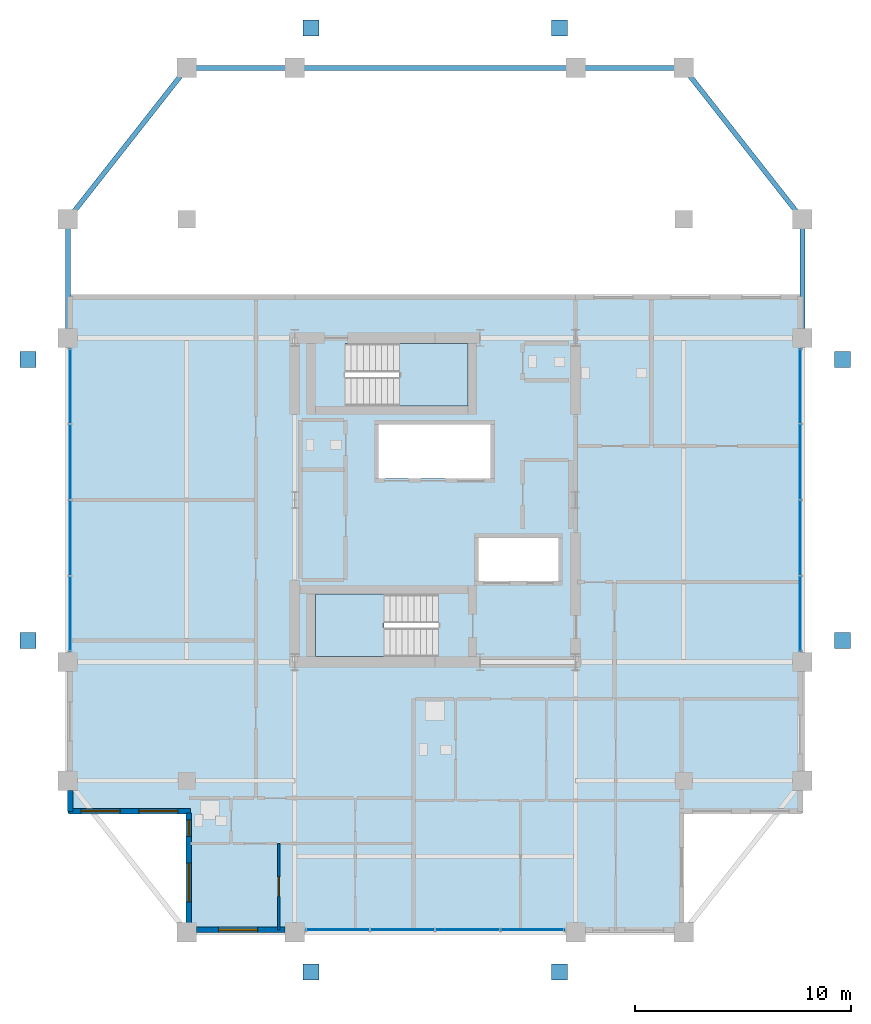
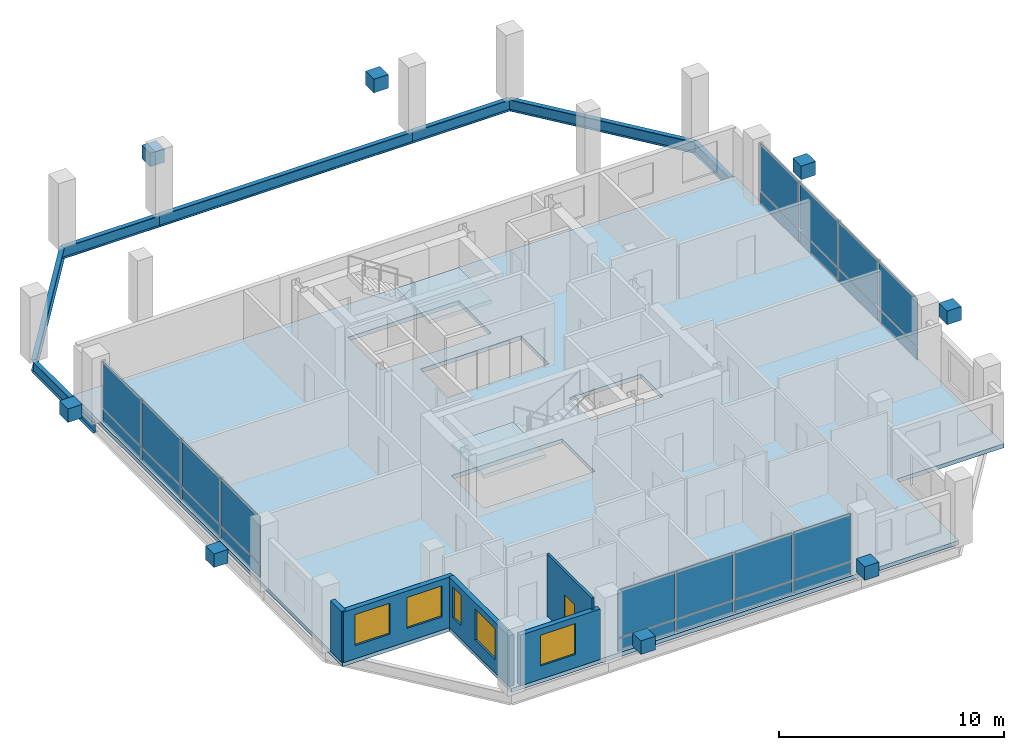
# One storey, part 11 of 16: 32 plates, 7 beams, 5 walls, 5 windows, 3 slabs, 1 door, 6 openings, 5 elements without a shape of their own.
"""IFC4 building model written with IfcOpenShell, lengths in metres."""

import ifcopenshell
import ifcopenshell.guid

model = None  # the IFC model being written
_history = None  # IfcOwnerHistory: only IFC2X3 demands one
_inside = {}  # id of a spatial element -> (the spatial element, [elements in it])
_under = {}  # id of a project, library or spatial element -> (it, [spatial elements below it])
_declared = {}  # id of a project -> (the project, [libraries it declares])
_typed = {}  # id of a type object -> (the type object, [elements of that type])
_made_of = {}  # id of a material, layer set ... -> (it, [elements and type objects made of it])


def new_model(schema):
    """Start an empty IFC model of exactly this schema.

    Asked for "IFC4X3", IfcOpenShell would pick the latest addendum, in which some entities
    have other attributes; the version numbers below select the first issue.
    IFC2X3 requires an IfcOwnerHistory on every rooted entity: one is made here for all.
    """
    global model, _history
    if schema == "IFC4X3":
        model = ifcopenshell.file(schema_version=(4, 3, 0, 0))
    else:
        model = ifcopenshell.file(schema=schema)
    _inside.clear()
    _under.clear()
    _declared.clear()
    _typed.clear()
    _made_of.clear()
    _history = None
    if model.schema == "IFC2X3":
        org = make("IfcOrganization", Name="unknown")
        user = make(
            "IfcPersonAndOrganization",
            ThePerson=make("IfcPerson", FamilyName="unknown"),
            TheOrganization=org,
        )
        app = make(
            "IfcApplication",
            ApplicationDeveloper=org,
            Version="unknown",
            ApplicationFullName="unknown",
            ApplicationIdentifier="unknown",
        )
        _history = make(
            "IfcOwnerHistory",
            OwningUser=user,
            OwningApplication=app,
            ChangeAction="ADDED",
            CreationDate=0,
        )
    return model


def make(cls, **values):
    """One entity of the class cls with the attributes given. An attribute that is None is left unset."""
    return model.create_entity(
        cls, **{name: value for name, value in values.items() if value is not None}
    )


def rooted(cls, **values):
    """An entity with a GlobalId (a new one), such as an element, a storey or a relation."""
    return make(cls, GlobalId=ifcopenshell.guid.new(), OwnerHistory=_history, **values)


def si_unit(unit_type, name, prefix=None):
    """IfcSIUnit, for example si_unit("LENGTHUNIT", "METRE", prefix="MILLI")."""
    return make("IfcSIUnit", UnitType=unit_type, Prefix=prefix, Name=name)


def assignment(units):
    """IfcUnitAssignment: the units of a project."""
    return None if units is None else make("IfcUnitAssignment", Units=units)


def point(xyz):
    """IfcCartesianPoint."""
    return None if xyz is None else make("IfcCartesianPoint", Coordinates=xyz)


def direction(xyz):
    """IfcDirection."""
    return None if xyz is None else make("IfcDirection", DirectionRatios=xyz)


def frame(location, z_axis=None, x_axis=None):
    """IfcAxis2Placement3D, a coordinate frame: its origin and axes. An axis left out is left unset."""
    return make(
        "IfcAxis2Placement3D",
        Location=point(location),
        Axis=direction(z_axis),
        RefDirection=direction(x_axis),
    )


def frame_2d(location, x_axis=None):
    """IfcAxis2Placement2D, a coordinate frame in the plane: its origin and x axis."""
    return make(
        "IfcAxis2Placement2D", Location=point(location), RefDirection=direction(x_axis)
    )


def origin():
    """The frame at (0, 0, 0) with its axes left unset."""
    return frame((0.0, 0.0, 0.0))


def origin_2d():
    """The frame at (0, 0) in the plane with its x axis left unset."""
    return frame_2d((0.0, 0.0))


def place(relative_to, where):
    """IfcLocalPlacement: puts the frame where relative to a parent placement (None: the world)."""
    return make(
        "IfcLocalPlacement", PlacementRelTo=relative_to, RelativePlacement=where
    )


def context(
    kind, dimensions, precision=None, world=None, true_north=None, identifier=None
):
    """IfcGeometricRepresentationContext, for example the 3D "Model" context."""
    return make(
        "IfcGeometricRepresentationContext",
        ContextIdentifier=identifier,
        ContextType=kind,
        CoordinateSpaceDimension=dimensions,
        Precision=precision,
        WorldCoordinateSystem=world,
        TrueNorth=true_north,
    )


def subcontext(parent, identifier, kind, view, scale=None):
    """IfcGeometricRepresentationSubContext, for example "Body" below "Model"."""
    return make(
        "IfcGeometricRepresentationSubContext",
        ContextIdentifier=identifier,
        ContextType=kind,
        ParentContext=parent,
        TargetScale=scale,
        TargetView=view,
    )


def project(units=None, contexts=None):
    """IfcProject with its units and contexts."""
    return rooted(
        "IfcProject",
        Name="project",
        RepresentationContexts=contexts,
        UnitsInContext=assignment(units),
    )


def spatial(cls, under=None, at=None, **own):
    """A site, building, storey or space (cls), placed at a placement, below another one or the project."""
    s = rooted(cls, ObjectPlacement=at, **own)
    if under is not None:
        _under.setdefault(under.id(), (under, []))[1].append(s)
    return s


def polyline(points):
    """IfcPolyline through the points."""
    return make("IfcPolyline", Points=[point(p) for p in points])


def profile(cls, at=None, kind="AREA", **sizes):
    """A parametric profile (cls). Its sizes go by their IFC names, for example OverallWidth=200.0."""
    return make(cls, ProfileType=kind, Position=at, **sizes)


def rectangle(**sizes):
    """IfcRectangleProfileDef."""
    return profile("IfcRectangleProfileDef", **sizes)


def i_section(**sizes):
    """IfcIShapeProfileDef."""
    return profile("IfcIShapeProfileDef", **sizes)


def outline(outer, holes=None, kind="AREA"):
    """IfcArbitraryClosedProfileDef: a profile drawn as a closed curve; with holes, ...WithVoids."""
    if holes is None:
        return make("IfcArbitraryClosedProfileDef", ProfileType=kind, OuterCurve=outer)
    return make(
        "IfcArbitraryProfileDefWithVoids",
        ProfileType=kind,
        OuterCurve=outer,
        InnerCurves=holes,
    )


def extrude(swept, where, along, depth):
    """IfcExtrudedAreaSolid: the profile swept, set in the frame where, extruded along a direction by depth."""
    return make(
        "IfcExtrudedAreaSolid",
        SweptArea=swept,
        Position=where,
        ExtrudedDirection=direction(along),
        Depth=depth,
    )


def shape(context_of_items, identifier, shape_type, items):
    """IfcShapeRepresentation: the items that make up one representation, for example the "Body"."""
    return make(
        "IfcShapeRepresentation",
        ContextOfItems=context_of_items,
        RepresentationIdentifier=identifier,
        RepresentationType=shape_type,
        Items=items,
    )


def material(Name=None, Category=None):
    """IfcMaterial."""
    return make("IfcMaterial", Name=Name, Category=Category)


def layer(
    of_material, thickness, ventilated=None, Name=None, Category=None, Priority=None
):
    """IfcMaterialLayer: one layer of a wall or slab, of a material (None: an air gap)."""
    return make(
        "IfcMaterialLayer",
        Material=of_material,
        LayerThickness=thickness,
        IsVentilated=ventilated,
        Name=Name,
        Category=Category,
        Priority=Priority,
    )


def layer_set(layers, Name=None):
    """IfcMaterialLayerSet."""
    return make("IfcMaterialLayerSet", MaterialLayers=layers, LayerSetName=Name)


def material_profile(
    of_material, cross_section, Name=None, Category=None, Priority=None
):
    """IfcMaterialProfile: a cross section and its material."""
    return make(
        "IfcMaterialProfile",
        Name=Name,
        Material=of_material,
        Profile=cross_section,
        Priority=Priority,
        Category=Category,
    )


def profile_set(profiles, Name=None, composite=None):
    """IfcMaterialProfileSet."""
    return make(
        "IfcMaterialProfileSet",
        Name=Name,
        MaterialProfiles=profiles,
        CompositeProfile=composite,
    )


def made_of(thing, what):
    """Note that an element or type object is made of a material, layer set ...; save() writes the relation."""
    if what is not None:
        _made_of.setdefault(what.id(), (what, []))[1].append(thing)
    return thing


def type_object(cls, material=None, **own):
    """A type object (cls), such as IfcWallType, which elements share."""
    return made_of(rooted(cls, **own), material)


def element(
    cls,
    number,
    at=None,
    inside=None,
    cuts=None,
    type_object=None,
    material=None,
    context=None,
    identifier="Body",
    shape_type=None,
    held_by="IfcProductDefinitionShape",
    body=None,
    shapes=None,
    **own,
):
    """One element of the class cls, such as IfcWall. Its Tag is "e" and its number.

    at: its placement. inside: the storey or other place that contains it. cuts: it is an
    opening in that element (IfcRelVoidsElement). A single representation is given by context,
    identifier, shape_type and body (its items); several are given by shapes. held_by: the class
    of the entity that holds the representations. save() writes the other relations.
    """
    e = rooted(cls, Tag="e%d" % number, ObjectPlacement=at, **own)
    if body is not None:
        shapes = [shape(context, identifier, shape_type, body)]
    if shapes is not None:
        e.Representation = make(held_by, Representations=shapes)
    if inside is not None:
        _inside.setdefault(inside.id(), (inside, []))[1].append(e)
    if cuts is not None:
        rooted(
            "IfcRelVoidsElement", RelatingBuildingElement=cuts, RelatedOpeningElement=e
        )
    if type_object is not None:
        _typed.setdefault(type_object.id(), (type_object, []))[1].append(e)
    return made_of(e, material)


def fill(opening, filler):
    """IfcRelFillsElement: the door or window that sits in an opening."""
    return rooted(
        "IfcRelFillsElement",
        RelatingOpeningElement=opening,
        RelatedBuildingElement=filler,
    )


def aggregate(whole, parts):
    """IfcRelAggregates: a whole, such as a stair, and the parts it consists of."""
    return rooted("IfcRelAggregates", RelatingObject=whole, RelatedObjects=parts)


def save(model, path):
    """Write the relations noted so far, then the file.

    IfcRelAggregates (storeys below a building ...), IfcRelContainedInSpatialStructure (elements
    in a storey), IfcRelDefinesByType, IfcRelAssociatesMaterial and IfcRelDeclares: one each for
    every whole, place, type object, material and project.
    """
    for whole, parts in _under.values():
        aggregate(whole, parts)
    for where, things in _inside.values():
        rooted(
            "IfcRelContainedInSpatialStructure",
            RelatedElements=things,
            RelatingStructure=where,
        )
    for kind, things in _typed.values():
        rooted("IfcRelDefinesByType", RelatedObjects=things, RelatingType=kind)
    for what, things in _made_of.values():
        rooted("IfcRelAssociatesMaterial", RelatedObjects=things, RelatingMaterial=what)
    for by, libraries in _declared.values():
        rooted("IfcRelDeclares", RelatingContext=by, RelatedDefinitions=libraries)
    model.write(path)


model = new_model("IFC4")

# Units and contexts
model_context = context("Model", 3, precision=1e-05, world=origin(), true_north=direction((0.0, 1.0)))
body_context = subcontext(model_context, "Body", "Model", "MODEL_VIEW")
ifc_project = project(units=[si_unit("LENGTHUNIT", "METRE"), si_unit("AREAUNIT", "SQUARE_METRE"), si_unit("VOLUMEUNIT", "CUBIC_METRE"), si_unit("PLANEANGLEUNIT", "RADIAN"), si_unit("MASSUNIT", "GRAM", prefix="KILO")], contexts=[model_context])

# Site, building, storey
site_placement = place(None, origin())
site = spatial("IfcSite", under=ifc_project, at=site_placement, CompositionType="ELEMENT")
building_placement = place(site_placement, origin())
building = spatial("IfcBuilding", under=site, at=building_placement, Name="Barlavira Tower and Art Museum", CompositionType="ELEMENT")
storey_placement = place(building_placement, frame((0.0, 0.0, 265.5)))
storey = spatial("IfcBuildingStorey", under=building, at=storey_placement, Name="L69", CompositionType="ELEMENT", Elevation=265.5)

# Beams
ifc_material_1 = material(Name="Steel S355", Category="steel")
ifc_material_profile = material_profile(ifc_material_1, i_section(OverallWidth=0.22998046875, OverallDepth=0.616943359375, WebThickness=0.01318359375, FlangeThickness=0.022216796875, at=origin_2d()), Name="W610x140.0")
ifc_profile_set = profile_set([ifc_material_profile], Name="Steel S355")
beam_type = type_object("IfcBeamType", Name="Upper Shaft Spandrel Edge Beam W610x140 Steel S355", PredefinedType="SPANDREL", material=ifc_profile_set)
beam_1_placement = place(storey_placement, frame((17.0, 7.5, -0.528564453125), z_axis=(0.0, 1.0, 0.0), x_axis=(-1.0, 0.0, 0.0)))
element("IfcBeam", 1, at=beam_1_placement, inside=storey, type_object=beam_type, Name="L69 Spandrel 7", PredefinedType="SPANDREL", context=body_context, shape_type="SweptSolid", body=[
    extrude(i_section(OverallWidth=0.22998046875, OverallDepth=0.616943359375, WebThickness=0.01318359375, FlangeThickness=0.022216796875, at=origin_2d()), origin(), (0.0, 0.0, 1.0), 5.5),
])
beam_2_placement = place(storey_placement, frame((17.0, 13.0, -0.528564453125), z_axis=(-0.617821551932, 0.786318338822, 0.0), x_axis=(-0.786318338822, -0.617821551932, 0.0)))
element("IfcBeam", 2, at=beam_2_placement, inside=storey, type_object=beam_type, Name="L69 Spandrel 8", PredefinedType="SPANDREL", context=body_context, shape_type="SweptSolid", body=[
    extrude(i_section(OverallWidth=0.22998046875, OverallDepth=0.616943359375, WebThickness=0.01318359375, FlangeThickness=0.022216796875, at=origin_2d()), origin(), (0.0, 0.0, 1.0), 8.90234375),
])
beam_3_placement = place(storey_placement, frame((6.5, 20.0, -0.528564453125), z_axis=(1.0, 0.0, 0.0), x_axis=(0.0, 1.0, 0.0)))
element("IfcBeam", 3, at=beam_3_placement, inside=storey, type_object=beam_type, Name="L69 Spandrel 9", PredefinedType="SPANDREL", context=body_context, shape_type="SweptSolid", body=[
    extrude(i_section(OverallWidth=0.22998046875, OverallDepth=0.616943359375, WebThickness=0.01318359375, FlangeThickness=0.022216796875, at=origin_2d()), origin(), (0.0, 0.0, 1.0), 5.0),
])
beam_4_placement = place(storey_placement, frame((-6.5, 20.0, -0.528564453125), z_axis=(1.0, 0.0, 0.0), x_axis=(0.0, 1.0, 0.0)))
element("IfcBeam", 4, at=beam_4_placement, inside=storey, type_object=beam_type, Name="L69 Spandrel 10", PredefinedType="SPANDREL", context=body_context, shape_type="SweptSolid", body=[
    extrude(i_section(OverallWidth=0.22998046875, OverallDepth=0.616943359375, WebThickness=0.01318359375, FlangeThickness=0.022216796875, at=origin_2d()), origin(), (0.0, 0.0, 1.0), 13.0),
])
beam_5_placement = place(storey_placement, frame((-11.5, 20.0, -0.528564453125), z_axis=(1.0, 0.0, 0.0), x_axis=(0.0, 1.0, 0.0)))
element("IfcBeam", 5, at=beam_5_placement, inside=storey, type_object=beam_type, Name="L69 Spandrel 11", PredefinedType="SPANDREL", context=body_context, shape_type="SweptSolid", body=[
    extrude(i_section(OverallWidth=0.22998046875, OverallDepth=0.616943359375, WebThickness=0.01318359375, FlangeThickness=0.022216796875, at=origin_2d()), origin(), (0.0, 0.0, 1.0), 5.0),
])
beam_6_placement = place(storey_placement, frame((-11.5, 20.0, -0.528564453125), z_axis=(-0.617821551932, -0.786318338822, 0.0), x_axis=(0.786318338822, -0.617821551932, 0.0)))
element("IfcBeam", 6, at=beam_6_placement, inside=storey, type_object=beam_type, Name="L69 Spandrel 12", PredefinedType="SPANDREL", context=body_context, shape_type="SweptSolid", body=[
    extrude(i_section(OverallWidth=0.22998046875, OverallDepth=0.616943359375, WebThickness=0.01318359375, FlangeThickness=0.022216796875, at=origin_2d()), origin(), (0.0, 0.0, 1.0), 8.90234375),
])
beam_7_placement = place(storey_placement, frame((-17.0, 7.5, -0.528564453125), z_axis=(0.0, 1.0, 0.0), x_axis=(-1.0, 0.0, 0.0)))
element("IfcBeam", 7, at=beam_7_placement, inside=storey, type_object=beam_type, Name="L69 Spandrel 13", PredefinedType="SPANDREL", context=body_context, shape_type="SweptSolid", body=[
    extrude(i_section(OverallWidth=0.22998046875, OverallDepth=0.616943359375, WebThickness=0.01318359375, FlangeThickness=0.022216796875, at=origin_2d()), origin(), (0.0, 0.0, 1.0), 5.5),
])

# Curtain wall, plates
ifc_material_2 = material(Name="Low-iron coastal laminated glass", Category="glass")
ifc_layer_1 = layer(ifc_material_2, 0.2099609375, Name="Low-iron coastal laminated glass")
ifc_layer_set_1 = layer_set([ifc_layer_1], Name="Low-iron coastal laminated glass")
curtain_wall_type = type_object("IfcCurtainWallType", Name="Pale-Metal Unitised Curtain Wall Zone 4", PredefinedType="NOTDEFINED", material=ifc_layer_set_1)
curtain_wall_1_placement = place(storey_placement, origin())
curtain_wall_1 = element("IfcCurtainWall", 8, at=curtain_wall_1_placement, inside=storey, type_object=curtain_wall_type, Name="L69 Curtain Wall CW4-L69-S-B2", PredefinedType="NOTDEFINED")
ifc_material_3 = material(Name="Pale anodised aluminium", Category="aluminium")
ifc_layer_2 = layer(ifc_material_3, 0.044921875, Name="Pale anodised aluminium")
ifc_layer_set_2 = layer_set([ifc_layer_2], Name="Pale anodised aluminium")
plate_type_1 = type_object("IfcPlateType", Name="Curtain Wall Pale-Metal Spandrel Panel 45", PredefinedType="CURTAIN_PANEL", material=ifc_layer_set_2)
plate_1_placement = place(storey_placement, frame((-4.5224609375, -19.89990234375, 0.0400390625), z_axis=(0.0, 0.0, 1.0), x_axis=(1.0, 0.0, 0.0)))
plate_1 = element("IfcPlate", 9, at=plate_1_placement, type_object=plate_type_1, Name="CW4-L69-S-B2 Spandrel Panel 0", PredefinedType="CURTAIN_PANEL", context=body_context, shape_type="SweptSolid", body=[
    extrude(rectangle(XDim=2.9150390625, YDim=0.044921875, at=origin_2d()), origin(), (0.0, 0.0, 1.0), 0.6640625),
])
plate_2_placement = place(storey_placement, frame((-1.507568359375, -19.89990234375, 0.0400390625), z_axis=(0.0, 0.0, 1.0), x_axis=(1.0, 0.0, 0.0)))
plate_2 = element("IfcPlate", 10, at=plate_2_placement, type_object=plate_type_1, Name="CW4-L69-S-B2 Spandrel Panel 1", PredefinedType="CURTAIN_PANEL", context=body_context, shape_type="SweptSolid", body=[
    extrude(rectangle(XDim=2.9150390625, YDim=0.044921875, at=origin_2d()), origin(), (0.0, 0.0, 1.0), 0.6640625),
])
plate_3_placement = place(storey_placement, frame((1.507568359375, -19.89990234375, 0.0400390625), z_axis=(0.0, 0.0, 1.0), x_axis=(1.0, 0.0, 0.0)))
plate_3 = element("IfcPlate", 11, at=plate_3_placement, type_object=plate_type_1, Name="CW4-L69-S-B2 Spandrel Panel 2", PredefinedType="CURTAIN_PANEL", context=body_context, shape_type="SweptSolid", body=[
    extrude(rectangle(XDim=2.9150390625, YDim=0.044921875, at=origin_2d()), origin(), (0.0, 0.0, 1.0), 0.6640625),
])
plate_4_placement = place(storey_placement, frame((4.5224609375, -19.89990234375, 0.0400390625), z_axis=(0.0, 0.0, 1.0), x_axis=(1.0, 0.0, 0.0)))
plate_4 = element("IfcPlate", 12, at=plate_4_placement, type_object=plate_type_1, Name="CW4-L69-S-B2 Spandrel Panel 3", PredefinedType="CURTAIN_PANEL", context=body_context, shape_type="SweptSolid", body=[
    extrude(rectangle(XDim=2.9150390625, YDim=0.044921875, at=origin_2d()), origin(), (0.0, 0.0, 1.0), 0.6640625),
])

curtain_wall_2_placement = place(storey_placement, origin())
curtain_wall_2 = element("IfcCurtainWall", 13, at=curtain_wall_2_placement, inside=storey, type_object=curtain_wall_type, Name="L69 Curtain Wall CW4-L69-W-B2", PredefinedType="NOTDEFINED")
plate_5_placement = place(storey_placement, frame((-16.89990234375, 5.2724609375, 0.0400390625), z_axis=(0.0, 0.0, 1.0), x_axis=(0.0, -1.0, 0.0)))
plate_5 = element("IfcPlate", 14, at=plate_5_placement, type_object=plate_type_1, Name="CW4-L69-W-B2 Spandrel Panel 0", PredefinedType="CURTAIN_PANEL", context=body_context, shape_type="SweptSolid", body=[
    extrude(rectangle(XDim=3.4150390625, YDim=0.044921875, at=origin_2d()), origin(), (0.0, 0.0, 1.0), 0.6640625),
])
plate_6_placement = place(storey_placement, frame((-16.89990234375, 1.757568359375, 0.0400390625), z_axis=(0.0, 0.0, 1.0), x_axis=(0.0, -1.0, 0.0)))
plate_6 = element("IfcPlate", 15, at=plate_6_placement, type_object=plate_type_1, Name="CW4-L69-W-B2 Spandrel Panel 1", PredefinedType="CURTAIN_PANEL", context=body_context, shape_type="SweptSolid", body=[
    extrude(rectangle(XDim=3.4150390625, YDim=0.044921875, at=origin_2d()), origin(), (0.0, 0.0, 1.0), 0.6640625),
])
plate_7_placement = place(storey_placement, frame((-16.89990234375, -1.757568359375, 0.0400390625), z_axis=(0.0, 0.0, 1.0), x_axis=(0.0, -1.0, 0.0)))
plate_7 = element("IfcPlate", 16, at=plate_7_placement, type_object=plate_type_1, Name="CW4-L69-W-B2 Spandrel Panel 2", PredefinedType="CURTAIN_PANEL", context=body_context, shape_type="SweptSolid", body=[
    extrude(rectangle(XDim=3.4150390625, YDim=0.044921875, at=origin_2d()), origin(), (0.0, 0.0, 1.0), 0.6640625),
])
plate_8_placement = place(storey_placement, frame((-16.89990234375, -5.2724609375, 0.0400390625), z_axis=(0.0, 0.0, 1.0), x_axis=(0.0, -1.0, 0.0)))
plate_8 = element("IfcPlate", 17, at=plate_8_placement, type_object=plate_type_1, Name="CW4-L69-W-B2 Spandrel Panel 3", PredefinedType="CURTAIN_PANEL", context=body_context, shape_type="SweptSolid", body=[
    extrude(rectangle(XDim=3.4150390625, YDim=0.044921875, at=origin_2d()), origin(), (0.0, 0.0, 1.0), 0.6640625),
])

curtain_wall_3_placement = place(storey_placement, origin())
curtain_wall_3 = element("IfcCurtainWall", 18, at=curtain_wall_3_placement, inside=storey, type_object=curtain_wall_type, Name="L69 Curtain Wall CW4-L69-E-B3", PredefinedType="NOTDEFINED")
plate_9_placement = place(storey_placement, frame((16.89990234375, -5.2724609375, 0.0400390625), z_axis=(0.0, 0.0, 1.0), x_axis=(0.0, 1.0, 0.0)))
plate_9 = element("IfcPlate", 19, at=plate_9_placement, type_object=plate_type_1, Name="CW4-L69-E-B3 Spandrel Panel 0", PredefinedType="CURTAIN_PANEL", context=body_context, shape_type="SweptSolid", body=[
    extrude(rectangle(XDim=3.4150390625, YDim=0.044921875, at=origin_2d()), origin(), (0.0, 0.0, 1.0), 0.6640625),
])
plate_10_placement = place(storey_placement, frame((16.89990234375, -1.757568359375, 0.0400390625), z_axis=(0.0, 0.0, 1.0), x_axis=(0.0, 1.0, 0.0)))
plate_10 = element("IfcPlate", 20, at=plate_10_placement, type_object=plate_type_1, Name="CW4-L69-E-B3 Spandrel Panel 1", PredefinedType="CURTAIN_PANEL", context=body_context, shape_type="SweptSolid", body=[
    extrude(rectangle(XDim=3.4150390625, YDim=0.044921875, at=origin_2d()), origin(), (0.0, 0.0, 1.0), 0.6640625),
])
plate_11_placement = place(storey_placement, frame((16.89990234375, 1.757568359375, 0.0400390625), z_axis=(0.0, 0.0, 1.0), x_axis=(0.0, 1.0, 0.0)))
plate_11 = element("IfcPlate", 21, at=plate_11_placement, type_object=plate_type_1, Name="CW4-L69-E-B3 Spandrel Panel 2", PredefinedType="CURTAIN_PANEL", context=body_context, shape_type="SweptSolid", body=[
    extrude(rectangle(XDim=3.4150390625, YDim=0.044921875, at=origin_2d()), origin(), (0.0, 0.0, 1.0), 0.6640625),
])
plate_12_placement = place(storey_placement, frame((16.89990234375, 5.2724609375, 0.0400390625), z_axis=(0.0, 0.0, 1.0), x_axis=(0.0, 1.0, 0.0)))
plate_12 = element("IfcPlate", 22, at=plate_12_placement, type_object=plate_type_1, Name="CW4-L69-E-B3 Spandrel Panel 3", PredefinedType="CURTAIN_PANEL", context=body_context, shape_type="SweptSolid", body=[
    extrude(rectangle(XDim=3.4150390625, YDim=0.044921875, at=origin_2d()), origin(), (0.0, 0.0, 1.0), 0.6640625),
])

# Plate
ifc_layer_3 = layer(ifc_material_2, 0.028076171875, Name="Low-iron coastal laminated glass")
ifc_layer_set_3 = layer_set([ifc_layer_3], Name="Low-iron coastal laminated glass")
plate_type_2 = type_object("IfcPlateType", Name="Curtain Wall Vision Glazing Panel 28", PredefinedType="CURTAIN_PANEL", material=ifc_layer_set_3)
plate_13_placement = place(storey_placement, frame((-4.5224609375, -19.89990234375, 0.7841796875), z_axis=(0.0, 0.0, 1.0), x_axis=(1.0, 0.0, 0.0)))
plate_13 = element("IfcPlate", 23, at=plate_13_placement, type_object=plate_type_2, Name="CW4-L69-S-B2 Vision Glass Panel 0", PredefinedType="CURTAIN_PANEL", context=body_context, shape_type="SweptSolid", body=[
    extrude(rectangle(XDim=2.9150390625, YDim=0.028076171875, at=origin_2d()), origin(), (0.0, 0.0, 1.0), 2.555908203125),
])

plate_14_placement = place(storey_placement, frame((-1.507568359375, -19.89990234375, 0.7841796875), z_axis=(0.0, 0.0, 1.0), x_axis=(1.0, 0.0, 0.0)))
plate_14 = element("IfcPlate", 24, at=plate_14_placement, type_object=plate_type_2, Name="CW4-L69-S-B2 Vision Glass Panel 1", PredefinedType="CURTAIN_PANEL", context=body_context, shape_type="SweptSolid", body=[
    extrude(rectangle(XDim=2.9150390625, YDim=0.028076171875, at=origin_2d()), origin(), (0.0, 0.0, 1.0), 2.555908203125),
])

plate_15_placement = place(storey_placement, frame((1.507568359375, -19.89990234375, 0.7841796875), z_axis=(0.0, 0.0, 1.0), x_axis=(1.0, 0.0, 0.0)))
plate_15 = element("IfcPlate", 25, at=plate_15_placement, type_object=plate_type_2, Name="CW4-L69-S-B2 Vision Glass Panel 2", PredefinedType="CURTAIN_PANEL", context=body_context, shape_type="SweptSolid", body=[
    extrude(rectangle(XDim=2.9150390625, YDim=0.028076171875, at=origin_2d()), origin(), (0.0, 0.0, 1.0), 2.555908203125),
])

plate_16_placement = place(storey_placement, frame((4.5224609375, -19.89990234375, 0.7841796875), z_axis=(0.0, 0.0, 1.0), x_axis=(1.0, 0.0, 0.0)))
plate_16 = element("IfcPlate", 26, at=plate_16_placement, type_object=plate_type_2, Name="CW4-L69-S-B2 Vision Glass Panel 3", PredefinedType="CURTAIN_PANEL", context=body_context, shape_type="SweptSolid", body=[
    extrude(rectangle(XDim=2.9150390625, YDim=0.028076171875, at=origin_2d()), origin(), (0.0, 0.0, 1.0), 2.555908203125),
])

aggregate(curtain_wall_1, [plate_1, plate_13, plate_2, plate_14, plate_3, plate_15, plate_4, plate_16])

plate_17_placement = place(storey_placement, frame((-16.89990234375, 5.2724609375, 0.7841796875), z_axis=(0.0, 0.0, 1.0), x_axis=(0.0, -1.0, 0.0)))
plate_17 = element("IfcPlate", 27, at=plate_17_placement, type_object=plate_type_2, Name="CW4-L69-W-B2 Vision Glass Panel 0", PredefinedType="CURTAIN_PANEL", context=body_context, shape_type="SweptSolid", body=[
    extrude(rectangle(XDim=3.4150390625, YDim=0.028076171875, at=origin_2d()), origin(), (0.0, 0.0, 1.0), 2.555908203125),
])

plate_18_placement = place(storey_placement, frame((-16.89990234375, 1.757568359375, 0.7841796875), z_axis=(0.0, 0.0, 1.0), x_axis=(0.0, -1.0, 0.0)))
plate_18 = element("IfcPlate", 28, at=plate_18_placement, type_object=plate_type_2, Name="CW4-L69-W-B2 Vision Glass Panel 1", PredefinedType="CURTAIN_PANEL", context=body_context, shape_type="SweptSolid", body=[
    extrude(rectangle(XDim=3.4150390625, YDim=0.028076171875, at=origin_2d()), origin(), (0.0, 0.0, 1.0), 2.555908203125),
])

plate_19_placement = place(storey_placement, frame((-16.89990234375, -1.757568359375, 0.7841796875), z_axis=(0.0, 0.0, 1.0), x_axis=(0.0, -1.0, 0.0)))
plate_19 = element("IfcPlate", 29, at=plate_19_placement, type_object=plate_type_2, Name="CW4-L69-W-B2 Vision Glass Panel 2", PredefinedType="CURTAIN_PANEL", context=body_context, shape_type="SweptSolid", body=[
    extrude(rectangle(XDim=3.4150390625, YDim=0.028076171875, at=origin_2d()), origin(), (0.0, 0.0, 1.0), 2.555908203125),
])

plate_20_placement = place(storey_placement, frame((-16.89990234375, -5.2724609375, 0.7841796875), z_axis=(0.0, 0.0, 1.0), x_axis=(0.0, -1.0, 0.0)))
plate_20 = element("IfcPlate", 30, at=plate_20_placement, type_object=plate_type_2, Name="CW4-L69-W-B2 Vision Glass Panel 3", PredefinedType="CURTAIN_PANEL", context=body_context, shape_type="SweptSolid", body=[
    extrude(rectangle(XDim=3.4150390625, YDim=0.028076171875, at=origin_2d()), origin(), (0.0, 0.0, 1.0), 2.555908203125),
])

aggregate(curtain_wall_2, [plate_5, plate_17, plate_6, plate_18, plate_7, plate_19, plate_8, plate_20])

plate_21_placement = place(storey_placement, frame((16.89990234375, -5.2724609375, 0.7841796875), z_axis=(0.0, 0.0, 1.0), x_axis=(0.0, 1.0, 0.0)))
plate_21 = element("IfcPlate", 31, at=plate_21_placement, type_object=plate_type_2, Name="CW4-L69-E-B3 Vision Glass Panel 0", PredefinedType="CURTAIN_PANEL", context=body_context, shape_type="SweptSolid", body=[
    extrude(rectangle(XDim=3.4150390625, YDim=0.028076171875, at=origin_2d()), origin(), (0.0, 0.0, 1.0), 2.555908203125),
])

plate_22_placement = place(storey_placement, frame((16.89990234375, -1.757568359375, 0.7841796875), z_axis=(0.0, 0.0, 1.0), x_axis=(0.0, 1.0, 0.0)))
plate_22 = element("IfcPlate", 32, at=plate_22_placement, type_object=plate_type_2, Name="CW4-L69-E-B3 Vision Glass Panel 1", PredefinedType="CURTAIN_PANEL", context=body_context, shape_type="SweptSolid", body=[
    extrude(rectangle(XDim=3.4150390625, YDim=0.028076171875, at=origin_2d()), origin(), (0.0, 0.0, 1.0), 2.555908203125),
])

plate_23_placement = place(storey_placement, frame((16.89990234375, 1.757568359375, 0.7841796875), z_axis=(0.0, 0.0, 1.0), x_axis=(0.0, 1.0, 0.0)))
plate_23 = element("IfcPlate", 33, at=plate_23_placement, type_object=plate_type_2, Name="CW4-L69-E-B3 Vision Glass Panel 2", PredefinedType="CURTAIN_PANEL", context=body_context, shape_type="SweptSolid", body=[
    extrude(rectangle(XDim=3.4150390625, YDim=0.028076171875, at=origin_2d()), origin(), (0.0, 0.0, 1.0), 2.555908203125),
])

plate_24_placement = place(storey_placement, frame((16.89990234375, 5.2724609375, 0.7841796875), z_axis=(0.0, 0.0, 1.0), x_axis=(0.0, 1.0, 0.0)))
plate_24 = element("IfcPlate", 34, at=plate_24_placement, type_object=plate_type_2, Name="CW4-L69-E-B3 Vision Glass Panel 3", PredefinedType="CURTAIN_PANEL", context=body_context, shape_type="SweptSolid", body=[
    extrude(rectangle(XDim=3.4150390625, YDim=0.028076171875, at=origin_2d()), origin(), (0.0, 0.0, 1.0), 2.555908203125),
])

aggregate(curtain_wall_3, [plate_9, plate_21, plate_10, plate_22, plate_11, plate_23, plate_12, plate_24])

# Plates
ifc_layer_4 = layer(ifc_material_1, 0.739990234375, Name="Steel S355")
ifc_layer_set_4 = layer_set([ifc_layer_4], Name="Steel S355")
plate_type_3 = type_object("IfcPlateType", Name="Exoskeleton Solid Steel Node Cap Plate Assembly Type 4 Steel S355", PredefinedType="USERDEFINED", material=ifc_layer_set_4)
for number, where, z_axis, x_axis, name in (
    (35, (-5.75, -21.85009765625, 1.31005859375), (0.0, 0.0, 1.0), (1.0, 0.0, 0.0), "Exoskeleton Diamond Node S1 ND-L69-0768"),
    (36, (5.75, -21.85009765625, 1.31005859375), (0.0, 0.0, 1.0), (1.0, 0.0, 0.0), "Exoskeleton Diamond Node S2 ND-L69-0769"),
    (37, (-5.75, 21.85009765625, 1.31005859375), (0.0, 0.0, 1.0), (1.0, 0.0, 0.0), "Exoskeleton Diamond Node N1 ND-L69-0776"),
    (38, (5.75, 21.85009765625, 1.31005859375), (0.0, 0.0, 1.0), (1.0, 0.0, 0.0), "Exoskeleton Diamond Node N2 ND-L69-0777"),
    (39, (-18.85009765625, -6.5, 1.31005859375), (0.0, 0.0, 1.0), (1.0, 0.0, 0.0), "Exoskeleton Diamond Node W1 ND-L69-0784"),
    (40, (-18.85009765625, 6.5, 1.31005859375), (0.0, 0.0, 1.0), (1.0, 0.0, 0.0), "Exoskeleton Diamond Node W2 ND-L69-0785"),
    (41, (18.85009765625, -6.5, 1.31005859375), (0.0, 0.0, 1.0), (1.0, 0.0, 0.0), "Exoskeleton Diamond Node E1 ND-L69-0792"),
    (42, (18.85009765625, 6.5, 1.31005859375), (0.0, 0.0, 1.0), (1.0, 0.0, 0.0), "Exoskeleton Diamond Node E2 ND-L69-0793"),
):
    element("IfcPlate", number, at=place(storey_placement, frame(where, z_axis=z_axis, x_axis=x_axis)), inside=storey, type_object=plate_type_3, Name=name, ObjectType="FLANGE_PLATE", PredefinedType="USERDEFINED", context=body_context, shape_type="SweptSolid", body=[
        extrude(rectangle(XDim=0.739990234375, YDim=0.739990234375, at=origin_2d()), origin(), (0.0, 0.0, 1.0), 0.739990234375),
    ])

# Stair, slab
ifc_material_4 = material(Name="Concrete C45", Category="concrete")
stair_type_1 = type_object("IfcStairType", Name="Tower North Dog-Leg Exit Stair Assembly Concrete C45", PredefinedType="TWO_QUARTER_TURN_STAIR", material=ifc_material_4)
stair_1_placement = place(storey_placement, origin())
stair_1 = element("IfcStair", 43, at=stair_1_placement, inside=storey, type_object=stair_type_1, Name="L69 Tower North Exit Stair ST-T2", PredefinedType="TWO_QUARTER_TURN_STAIR")
ifc_layer_5 = layer(ifc_material_4, 0.199951171875, Name="Concrete C45")
ifc_layer_set_5 = layer_set([ifc_layer_5], Name="Concrete C45")
slab_type_1 = type_object("IfcSlabType", Name="Tower North Dog-Leg Exit Stair Half-Landing Slab 200 Concrete C45", PredefinedType="LANDING", material=ifc_layer_set_5)
slab_1_placement = place(storey_placement, frame((0.0, 0.0, 1.60009765625)))
slab_1 = element("IfcSlab", 44, at=slab_1_placement, type_object=slab_type_1, Name="ST-T2 landing 1", PredefinedType="LANDING", context=body_context, shape_type="SweptSolid", body=[
    extrude(outline(polyline([(-1.64990234375, 4.35009765625), (1.530029296875, 4.35009765625), (1.530029296875, 7.25), (-1.64990234375, 7.25), (-1.64990234375, 4.35009765625)])), origin(), (0.0, 0.0, 1.0), 0.199951171875),
])
aggregate(stair_1, [slab_1])

stair_type_2 = type_object("IfcStairType", Name="Tower South Dog-Leg Exit Stair Assembly Concrete C45", PredefinedType="TWO_QUARTER_TURN_STAIR", material=ifc_material_4)
stair_2_placement = place(storey_placement, origin())
stair_2 = element("IfcStair", 45, at=stair_2_placement, inside=storey, type_object=stair_type_2, Name="L69 Tower South Exit Stair ST-T1", PredefinedType="TWO_QUARTER_TURN_STAIR")
ifc_layer_6 = layer(ifc_material_4, 0.199951171875, Name="Concrete C45")
ifc_layer_set_6 = layer_set([ifc_layer_6], Name="Concrete C45")
slab_type_2 = type_object("IfcSlabType", Name="Tower South Dog-Leg Exit Stair Half-Landing Slab 200 Concrete C45", PredefinedType="LANDING", material=ifc_layer_set_6)
slab_2_placement = place(storey_placement, frame((0.0, 0.0, 1.60009765625)))
slab_2 = element("IfcSlab", 46, at=slab_2_placement, type_object=slab_type_2, Name="ST-T1 landing 1", PredefinedType="LANDING", context=body_context, shape_type="SweptSolid", body=[
    extrude(outline(polyline([(-2.3701171875, -4.35009765625), (-5.550048828125, -4.35009765625), (-5.550048828125, -7.25), (-2.3701171875, -7.25), (-2.3701171875, -4.35009765625)])), origin(), (0.0, 0.0, 1.0), 0.199951171875),
])
aggregate(stair_2, [slab_2])

# Slab
ifc_material_5 = material(Name="Concrete C50", Category="concrete")
ifc_layer_7 = layer(ifc_material_5, 0.18994140625, Name="Concrete C50")
ifc_layer_set_7 = layer_set([ifc_layer_7], Name="Concrete C50")
slab_type_3 = type_object("IfcSlabType", Name="Zone 4 Residential Composite Slab 190 Concrete C50", PredefinedType="FLOOR", material=ifc_layer_set_7)
slab_3_placement = place(storey_placement, frame((0.0, 0.0, -0.219970703125)))
element("IfcSlab", 47, at=slab_3_placement, inside=storey, type_object=slab_type_3, Name="L69 Wind-Portal Residence Floor Slab", PredefinedType="FLOOR", context=body_context, shape_type="SweptSolid", body=[
    extrude(outline(polyline([(-11.5, -20.0), (11.5, -20.0), (11.5, -14.5), (17.0, -14.5), (17.0, 9.5), (-17.0, 9.5), (-17.0, -14.5), (-11.5, -14.5), (-11.5, -20.0)]), holes=[polyline([(0.14990234375, -4.35009765625), (-5.550048828125, -4.35009765625), (-5.550048828125, -7.25), (0.14990234375, -7.25), (0.14990234375, -4.35009765625)]), polyline([(-4.169921875, 4.35009765625), (1.530029296875, 4.35009765625), (1.530029296875, 7.25), (-4.169921875, 7.25), (-4.169921875, 4.35009765625)]), polyline([(-2.6201171875, 1.0), (2.56005859375, 1.0), (2.56005859375, 3.5), (-2.6201171875, 3.5), (-2.6201171875, 1.0)]), polyline([(2.0, -3.75), (5.699951171875, -3.75), (5.699951171875, -1.75), (2.0, -1.75), (2.0, -3.75)])]), origin(), (0.0, 0.0, 1.0), 0.219970703125),
])

# Wall, opening, door
ifc_material_6 = material(Name="Gypsum acoustic stud partition", Category="gypsum")
ifc_layer_8 = layer(ifc_material_6, 0.1201171875, Name="Gypsum acoustic stud partition")
ifc_layer_set_8 = layer_set([ifc_layer_8], Name="Gypsum acoustic stud partition")
wall_type_1 = type_object("IfcWallType", Name="Apartment Internal Acoustic Partition 120", PredefinedType="PARTITIONING", material=ifc_layer_set_8)
wall_1_placement = place(storey_placement, frame((-7.25, -19.89990234375, 0.0), z_axis=(0.0, 0.0, 1.0), x_axis=(0.0, 1.0, 0.0)))
wall_1 = element("IfcWall", 48, at=wall_1_placement, inside=storey, type_object=wall_type_1, Name="L69 Partition Wall 3", PredefinedType="PARTITIONING", context=body_context, shape_type="SweptSolid", body=[
    extrude(rectangle(XDim=4.0, YDim=0.1201171875, at=frame_2d((2.0, 0.0))), origin(), (0.0, 0.0, 1.0), 3.3798828125),
])
opening_1_placement = place(wall_1_placement, frame((1.550048828125, 0.0, 0.0)))
opening_1 = element("IfcOpeningElement", 49, at=opening_1_placement, cuts=wall_1, Name="Opening D-01", PredefinedType="OPENING", context=body_context, shape_type="SweptSolid", body=[
    extrude(rectangle(XDim=0.89990234375, YDim=2.10009765625, at=frame_2d((0.449951171875, 1.050048828125))), frame((0.0, 0.070068359375, 0.0), z_axis=(0.0, -1.0, 0.0), x_axis=(1.0, 0.0, 0.0)), (0.0, 0.0, 1.0), 0.14013671875),
])
ifc_material_7 = material(Name="Engineered coastal hardwood", Category="wood")
door_type = type_object("IfcDoorType", Name="Internal Bedroom Timber Flush Door 900x2100", OperationType="NOTDEFINED", PredefinedType="DOOR", material=ifc_material_7)
door_placement = place(opening_1_placement, origin())
door = element("IfcDoor", 50, at=door_placement, inside=storey, type_object=door_type, Name="Apartment WP-SW Bedroom 1 Door", OperationType="SINGLE_SWING_RIGHT", OverallHeight=2.10009765625, OverallWidth=0.89990234375, PredefinedType="DOOR", context=body_context, shape_type="SweptSolid", body=[
    extrude(rectangle(XDim=0.89990234375, YDim=2.10009765625, at=frame_2d((0.449951171875, 1.050048828125))), frame((0.0, 0.02490234375, 0.0), z_axis=(0.0, -1.0, 0.0), x_axis=(1.0, 0.0, 0.0)), (0.0, 0.0, 1.0), 0.050048828125),
])
fill(opening_1, door)

# Wall, opening, window
ifc_material_8 = material(Name="Precast concrete C40", Category="concrete")
ifc_layer_9 = layer(ifc_material_8, 0.25, Name="Precast concrete C40")
ifc_layer_set_9 = layer_set([ifc_layer_9], Name="Precast concrete C40")
wall_type_2 = type_object("IfcWallType", Name="Notched Corner Spandrel Wall 250 Precast Concrete C40", PredefinedType="SOLIDWALL", material=ifc_layer_set_9)
wall_2_placement = place(storey_placement, frame((-11.054931640625, -19.89990234375, 0.0), z_axis=(0.0, 0.0, 1.0), x_axis=(1.0, 0.0, 0.0)))
wall_2 = element("IfcWall", 51, at=wall_2_placement, inside=storey, type_object=wall_type_2, Name="L69 Coastal Facade Pier Wall CW4-L69-S-1", PredefinedType="SOLIDWALL", context=body_context, shape_type="SweptSolid", body=[
    extrude(rectangle(XDim=4.10986328125, YDim=0.25, at=frame_2d((2.054931640625, 0.0))), origin(), (0.0, 0.0, 1.0), 2.748046875),
])
opening_2_placement = place(wall_2_placement, frame((1.030029296875, 0.0, 0.719970703125)))
opening_2 = element("IfcOpeningElement", 52, at=opening_2_placement, cuts=wall_2, Name="Opening WN-01", PredefinedType="OPENING", context=body_context, shape_type="SweptSolid", body=[
    extrude(rectangle(XDim=1.800048828125, YDim=1.679931640625, at=frame_2d((0.89990234375, 0.83984375))), frame((0.0, 0.135009765625, 0.0), z_axis=(0.0, -1.0, 0.0), x_axis=(1.0, 0.0, 0.0)), (0.0, 0.0, 1.0), 0.27001953125),
])
window_type_1 = type_object("IfcWindowType", Name="Recessed Notch Corner Punch Window 1800x1680", PartitioningType="SINGLE_PANEL", PredefinedType="WINDOW", material=ifc_material_2)
window_1_placement = place(opening_2_placement, origin())
window_1 = element("IfcWindow", 53, at=window_1_placement, inside=storey, type_object=window_type_1, Name="L69 Punched Facade Window EWP-CW4-L69-S-1-1", OverallHeight=1.679931640625, OverallWidth=1.800048828125, PartitioningType="SINGLE_PANEL", PredefinedType="WINDOW", context=body_context, shape_type="SweptSolid", body=[
    extrude(rectangle(XDim=1.800048828125, YDim=1.679931640625, at=frame_2d((0.89990234375, 0.83984375))), frame((0.0, 0.030029296875, 0.0), z_axis=(0.0, -1.0, 0.0), x_axis=(1.0, 0.0, 0.0)), (0.0, 0.0, 1.0), 0.06005859375),
])
fill(opening_2, window_1)

# Wall
wall_3_placement = place(storey_placement, frame((-16.89990234375, -13.445068359375, 0.0), z_axis=(0.0, 0.0, 1.0), x_axis=(0.0, -1.0, 0.0)))
element("IfcWall", 54, at=wall_3_placement, inside=storey, type_object=wall_type_2, Name="L69 Coastal Facade Pier Wall CW4-L69-W-4", PredefinedType="SOLIDWALL", context=body_context, shape_type="SweptSolid", body=[
    extrude(rectangle(XDim=0.97998046875, YDim=0.25, at=frame_2d((0.489990234375, 0.0))), origin(), (0.0, 0.0, 1.0), 2.748046875),
])

# Wall, openings, windows
wall_4_placement = place(storey_placement, frame((-16.97998046875, -14.39990234375, 0.0), z_axis=(0.0, 0.0, 1.0), x_axis=(1.0, 0.0, 0.0)))
wall_4 = element("IfcWall", 55, at=wall_4_placement, inside=storey, type_object=wall_type_2, Name="L69 Notch Corner Wall SW1", PredefinedType="SOLIDWALL", context=body_context, shape_type="SweptSolid", body=[
    extrude(rectangle(XDim=5.659912109375, YDim=0.25, at=frame_2d((2.830078125, 0.0))), origin(), (0.0, 0.0, 1.0), 2.748046875),
])
opening_3_placement = place(wall_4_placement, frame((0.594970703125, 0.0, 0.719970703125)))
opening_3 = element("IfcOpeningElement", 56, at=opening_3_placement, cuts=wall_4, Name="Opening WN-01", PredefinedType="OPENING", context=body_context, shape_type="SweptSolid", body=[
    extrude(rectangle(XDim=1.800048828125, YDim=1.679931640625, at=frame_2d((0.89990234375, 0.83984375))), frame((0.0, 0.135009765625, 0.0), z_axis=(0.0, -1.0, 0.0), x_axis=(1.0, 0.0, 0.0)), (0.0, 0.0, 1.0), 0.27001953125),
])
opening_4_placement = place(wall_4_placement, frame((3.264892578125, 0.0, 0.719970703125)))
opening_4 = element("IfcOpeningElement", 57, at=opening_4_placement, cuts=wall_4, Name="Opening WN-01", PredefinedType="OPENING", context=body_context, shape_type="SweptSolid", body=[
    extrude(rectangle(XDim=1.800048828125, YDim=1.679931640625, at=frame_2d((0.89990234375, 0.83984375))), frame((0.0, 0.135009765625, 0.0), z_axis=(0.0, -1.0, 0.0), x_axis=(1.0, 0.0, 0.0)), (0.0, 0.0, 1.0), 0.27001953125),
])
window_2_placement = place(opening_3_placement, origin())
window_2 = element("IfcWindow", 58, at=window_2_placement, inside=storey, type_object=window_type_1, Name="L69 Punched Facade Window EW-NTC-L69-SW1-1", OverallHeight=1.679931640625, OverallWidth=1.800048828125, PartitioningType="SINGLE_PANEL", PredefinedType="WINDOW", context=body_context, shape_type="SweptSolid", body=[
    extrude(rectangle(XDim=1.800048828125, YDim=1.679931640625, at=frame_2d((0.89990234375, 0.83984375))), frame((0.0, 0.030029296875, 0.0), z_axis=(0.0, -1.0, 0.0), x_axis=(1.0, 0.0, 0.0)), (0.0, 0.0, 1.0), 0.06005859375),
])
fill(opening_3, window_2)
window_3_placement = place(opening_4_placement, origin())
window_3 = element("IfcWindow", 59, at=window_3_placement, inside=storey, type_object=window_type_1, Name="L69 Punched Facade Window EW-NTC-L69-SW1-2", OverallHeight=1.679931640625, OverallWidth=1.800048828125, PartitioningType="SINGLE_PANEL", PredefinedType="WINDOW", context=body_context, shape_type="SweptSolid", body=[
    extrude(rectangle(XDim=1.800048828125, YDim=1.679931640625, at=frame_2d((0.89990234375, 0.83984375))), frame((0.0, 0.030029296875, 0.0), z_axis=(0.0, -1.0, 0.0), x_axis=(1.0, 0.0, 0.0)), (0.0, 0.0, 1.0), 0.06005859375),
])
fill(opening_4, window_3)

wall_5_placement = place(storey_placement, frame((-11.39990234375, -14.47998046875, 0.0), z_axis=(0.0, 0.0, 1.0), x_axis=(0.0, -1.0, 0.0)))
wall_5 = element("IfcWall", 60, at=wall_5_placement, inside=storey, type_object=wall_type_2, Name="L69 Notch Corner Wall SW2", PredefinedType="SOLIDWALL", context=body_context, shape_type="SweptSolid", body=[
    extrude(rectangle(XDim=5.340087890625, YDim=0.25, at=frame_2d((2.669921875, 0.0))), origin(), (0.0, 0.0, 1.0), 2.748046875),
])
opening_5_placement = place(wall_5_placement, frame((0.330078125, 0.0, 0.719970703125)))
opening_5 = element("IfcOpeningElement", 61, at=opening_5_placement, cuts=wall_5, Name="Opening WN-06", PredefinedType="OPENING", context=body_context, shape_type="SweptSolid", body=[
    extrude(rectangle(XDim=0.760009765625, YDim=1.679931640625, at=frame_2d((0.3798828125, 0.83984375))), frame((0.0, 0.135009765625, 0.0), z_axis=(0.0, -1.0, 0.0), x_axis=(1.0, 0.0, 0.0)), (0.0, 0.0, 1.0), 0.27001953125),
])
opening_6_placement = place(wall_5_placement, frame((2.324951171875, 0.0, 0.719970703125)))
opening_6 = element("IfcOpeningElement", 62, at=opening_6_placement, cuts=wall_5, Name="Opening WN-01", PredefinedType="OPENING", context=body_context, shape_type="SweptSolid", body=[
    extrude(rectangle(XDim=1.800048828125, YDim=1.679931640625, at=frame_2d((0.89990234375, 0.83984375))), frame((0.0, 0.135009765625, 0.0), z_axis=(0.0, -1.0, 0.0), x_axis=(1.0, 0.0, 0.0)), (0.0, 0.0, 1.0), 0.27001953125),
])
window_type_2 = type_object("IfcWindowType", Name="Recessed Narrow Pier Window 760x1680", PartitioningType="SINGLE_PANEL", PredefinedType="WINDOW", material=ifc_material_2)
window_4_placement = place(opening_5_placement, origin())
window_4 = element("IfcWindow", 63, at=window_4_placement, inside=storey, type_object=window_type_2, Name="L69 Punched Facade Window EW-NTC-L69-SW2-1", OverallHeight=1.679931640625, OverallWidth=0.760009765625, PartitioningType="SINGLE_PANEL", PredefinedType="WINDOW", context=body_context, shape_type="SweptSolid", body=[
    extrude(rectangle(XDim=0.760009765625, YDim=1.679931640625, at=frame_2d((0.3798828125, 0.83984375))), frame((0.0, 0.030029296875, 0.0), z_axis=(0.0, -1.0, 0.0), x_axis=(1.0, 0.0, 0.0)), (0.0, 0.0, 1.0), 0.06005859375),
])
fill(opening_5, window_4)
window_5_placement = place(opening_6_placement, origin())
window_5 = element("IfcWindow", 64, at=window_5_placement, inside=storey, type_object=window_type_1, Name="L69 Punched Facade Window EW-NTC-L69-SW2-2", OverallHeight=1.679931640625, OverallWidth=1.800048828125, PartitioningType="SINGLE_PANEL", PredefinedType="WINDOW", context=body_context, shape_type="SweptSolid", body=[
    extrude(rectangle(XDim=1.800048828125, YDim=1.679931640625, at=frame_2d((0.89990234375, 0.83984375))), frame((0.0, 0.030029296875, 0.0), z_axis=(0.0, -1.0, 0.0), x_axis=(1.0, 0.0, 0.0)), (0.0, 0.0, 1.0), 0.06005859375),
])
fill(opening_6, window_5)

save(model, "model.ifc")
